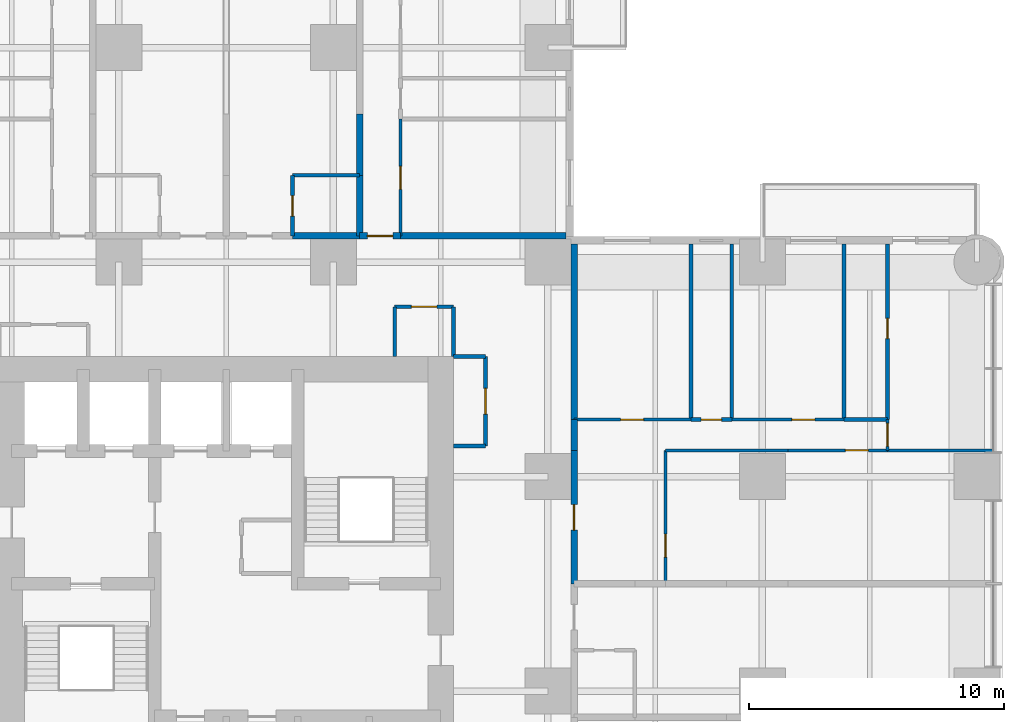
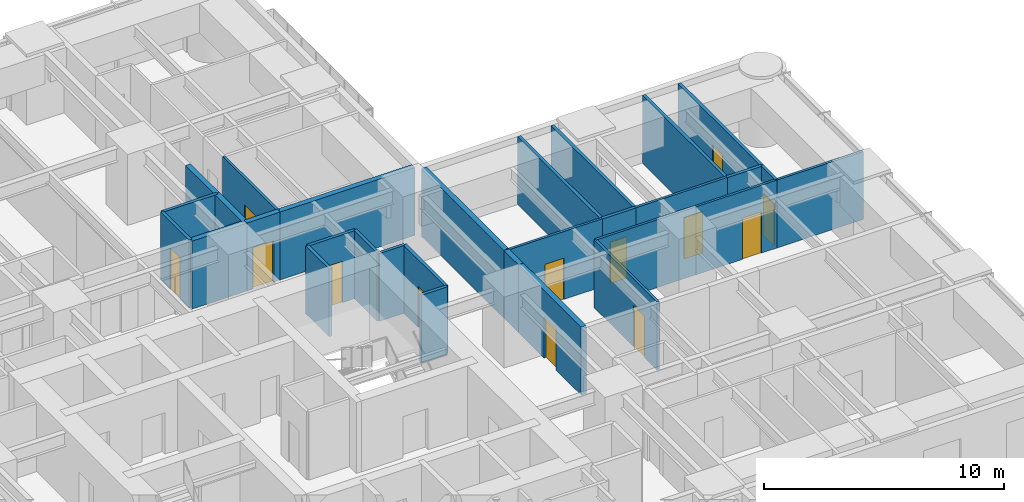
# One storey, part 14 of 17: 30 walls, 13 doors, 13 openings.
"""IFC4 building model written with IfcOpenShell, lengths in metres."""

from ifc_helpers import new_model, si_unit, direction, frame, frame_2d, origin, place, context, subcontext, project, spatial, rectangle, extrude, material, layer, layer_set, type_object, element, fill, save


model = new_model("IFC4")

# Units and contexts
model_context = context("Model", 3, precision=1e-05, world=origin(), true_north=direction((0.0, 1.0)))
body_context = subcontext(model_context, "Body", "Model", "MODEL_VIEW")
ifc_project = project(units=[si_unit("LENGTHUNIT", "METRE"), si_unit("AREAUNIT", "SQUARE_METRE"), si_unit("VOLUMEUNIT", "CUBIC_METRE"), si_unit("PLANEANGLEUNIT", "RADIAN"), si_unit("MASSUNIT", "GRAM", prefix="KILO")], contexts=[model_context])

# Site, building, storey
site_placement = place(None, origin())
site = spatial("IfcSite", under=ifc_project, at=site_placement, CompositionType="ELEMENT")
building_placement = place(site_placement, origin())
building = spatial("IfcBuilding", under=site, at=building_placement, Name="Torre Alcanfor", CompositionType="ELEMENT")
storey_placement = place(building_placement, frame((0.0, 0.0, 92.10009765625)))
storey = spatial("IfcBuildingStorey", under=building, at=storey_placement, Name="L23", CompositionType="ELEMENT", Elevation=92.10009765625)

# Wall
ifc_material_1 = material(Name="Concrete block masonry, hollow blocks NMX-C-404 9 MPa", Category="masonry")
ifc_layer_1 = layer(ifc_material_1, 0.25)
ifc_layer_set_1 = layer_set([ifc_layer_1], Name="Apartment entrance wall 250 EI 60")
wall_type_1 = type_object("IfcWallType", Name="Apartment entrance wall 250 EI 60", PredefinedType="PARTITIONING", material=ifc_layer_set_1)
wall_1_placement = place(storey_placement, frame((32.0, 43.02490234375, 0.0), z_axis=(0.0, 0.0, 1.0), x_axis=(1.0, 0.0, 0.0)))
element("IfcWall", 1, at=wall_1_placement, inside=storey, type_object=wall_type_1, Name="Partition L23-CORR / L23-N2A-BATH", PredefinedType="PARTITIONING", context=body_context, shape_type="SweptSolid", body=[
    extrude(rectangle(XDim=2.62890625, YDim=0.25, at=frame_2d((1.314453125, 0.0))), origin(), (0.0, 0.0, 1.0), 3.449951171875),
])

# Wall, opening, door
wall_2_placement = place(storey_placement, frame((34.62890625, 43.02490234375, 0.0), z_axis=(0.0, 0.0, 1.0), x_axis=(1.0, 0.0, 0.0)))
wall_2 = element("IfcWall", 2, at=wall_2_placement, inside=storey, type_object=wall_type_1, Name="Partition L23-CORR / L23-N2B-HALL", PredefinedType="PARTITIONING", context=body_context, shape_type="SweptSolid", body=[
    extrude(rectangle(XDim=1.60009765625, YDim=0.25, at=frame_2d((0.800048828125, 0.0))), origin(), (0.0, 0.0, 1.0), 3.449951171875),
])
opening_1_placement = place(wall_2_placement, frame((0.300048828125, 0.0, 0.0)))
opening_1 = element("IfcOpeningElement", 3, at=opening_1_placement, cuts=wall_2, Name="Opening D-A1", PredefinedType="OPENING", context=body_context, shape_type="SweptSolid", body=[
    extrude(rectangle(XDim=1.0, YDim=2.10009765625, at=frame_2d((0.5, 1.050048828125))), frame((0.0, 0.135009765625, 0.0), z_axis=(0.0, -1.0, 0.0), x_axis=(1.0, 0.0, 0.0)), (0.0, 0.0, 1.0), 0.27001953125),
])
ifc_material_2 = material(Name="Galvanised steel sheet ASTM A653", Category="steel")
door_type_1 = type_object("IfcDoorType", Name="Apartment entrance door FD60 1000x2100", OperationType="SINGLE_SWING_LEFT", PredefinedType="DOOR", material=ifc_material_2)
door_1_placement = place(opening_1_placement, origin())
door_1 = element("IfcDoor", 4, at=door_1_placement, inside=storey, type_object=door_type_1, Name="Apartment entrance L23-N2B", OperationType="SINGLE_SWING_LEFT", OverallHeight=2.10009765625, OverallWidth=1.0, PredefinedType="DOOR", context=body_context, shape_type="SweptSolid", body=[
    extrude(rectangle(XDim=1.0, YDim=2.10009765625, at=frame_2d((0.5, 1.050048828125))), frame((0.0, 0.02490234375, 0.0), z_axis=(0.0, -1.0, 0.0), x_axis=(1.0, 0.0, 0.0)), (0.0, 0.0, 1.0), 0.050048828125),
])
fill(opening_1, door_1)

# Wall
wall_3_placement = place(storey_placement, frame((36.22900390625, 43.02490234375, 0.0), z_axis=(0.0, 0.0, 1.0), x_axis=(1.0, 0.0, 0.0)))
element("IfcWall", 5, at=wall_3_placement, inside=storey, type_object=wall_type_1, Name="Partition L23-CORR / L23-N2B-MASTER", PredefinedType="PARTITIONING", context=body_context, shape_type="SweptSolid", body=[
    extrude(rectangle(XDim=6.470947265625, YDim=0.25, at=frame_2d((3.2353515625, 0.0))), origin(), (0.0, 0.0, 1.0), 3.449951171875),
])

# Wall, opening, door
wall_4_placement = place(storey_placement, frame((43.02490234375, 34.62890625, 0.0), z_axis=(0.0, 0.0, 1.0), x_axis=(0.0, -1.0, 0.0)))
wall_4 = element("IfcWall", 6, at=wall_4_placement, inside=storey, type_object=wall_type_1, Name="Partition L23-CORR / L23-E1-ZAG", PredefinedType="PARTITIONING", context=body_context, shape_type="SweptSolid", body=[
    extrude(rectangle(XDim=5.22900390625, YDim=0.25, at=frame_2d((2.614501953125, 0.0))), origin(), (0.0, 0.0, 1.0), 3.449951171875),
])
opening_2_placement = place(wall_4_placement, frame((2.12890625, 0.0, 0.0)))
opening_2 = element("IfcOpeningElement", 7, at=opening_2_placement, cuts=wall_4, Name="Opening D-A1", PredefinedType="OPENING", context=body_context, shape_type="SweptSolid", body=[
    extrude(rectangle(XDim=1.0, YDim=2.10009765625, at=frame_2d((0.5, 1.050048828125))), frame((0.0, 0.135009765625, 0.0), z_axis=(0.0, -1.0, 0.0), x_axis=(1.0, 0.0, 0.0)), (0.0, 0.0, 1.0), 0.27001953125),
])
door_2_placement = place(opening_2_placement, origin())
door_2 = element("IfcDoor", 8, at=door_2_placement, inside=storey, type_object=door_type_1, Name="Apartment entrance L23-E1", OperationType="SINGLE_SWING_RIGHT", OverallHeight=2.10009765625, OverallWidth=1.0, PredefinedType="DOOR", context=body_context, shape_type="SweptSolid", body=[
    extrude(rectangle(XDim=1.0, YDim=2.10009765625, at=frame_2d((0.5, 1.050048828125))), frame((0.0, 0.02490234375, 0.0), z_axis=(0.0, -1.0, 0.0), x_axis=(1.0, 0.0, 0.0)), (0.0, 0.0, 1.0), 0.050048828125),
])
fill(opening_2, door_2)

# Walls
wall_5_placement = place(storey_placement, frame((43.02490234375, 35.8291015625, 0.0), z_axis=(0.0, 0.0, 1.0), x_axis=(0.0, -1.0, 0.0)))
element("IfcWall", 9, at=wall_5_placement, inside=storey, type_object=wall_type_1, Name="Partition L23-CORR / L23-E1-HALL", PredefinedType="PARTITIONING", context=body_context, shape_type="SweptSolid", body=[
    extrude(rectangle(XDim=1.2001953125, YDim=0.25, at=frame_2d((0.60009765625, 0.0))), origin(), (0.0, 0.0, 1.0), 3.449951171875),
])
wall_6_placement = place(storey_placement, frame((43.02490234375, 42.699951171875, 0.0), z_axis=(0.0, 0.0, 1.0), x_axis=(0.0, -1.0, 0.0)))
element("IfcWall", 10, at=wall_6_placement, inside=storey, type_object=wall_type_1, Name="Partition L23-CORR / L23-E1-BED3", PredefinedType="PARTITIONING", context=body_context, shape_type="SweptSolid", body=[
    extrude(rectangle(XDim=6.870849609375, YDim=0.25, at=frame_2d((3.435546875, 0.0))), origin(), (0.0, 0.0, 1.0), 3.449951171875),
])

# Wall, opening, door
ifc_material_3 = material(Name="Gypsum board on steel studs", Category="steel")
ifc_layer_2 = layer(ifc_material_3, 0.1201171875)
ifc_layer_set_2 = layer_set([ifc_layer_2], Name="Apartment partition 120")
wall_type_2 = type_object("IfcWallType", Name="Apartment partition 120", PredefinedType="PARTITIONING", material=ifc_layer_set_2)
wall_7_placement = place(storey_placement, frame((36.22900390625, 47.60009765625, 0.0), z_axis=(0.0, 0.0, 1.0), x_axis=(0.0, -1.0, 0.0)))
wall_7 = element("IfcWall", 11, at=wall_7_placement, inside=storey, type_object=wall_type_2, Name="Partition L23-N2B-HALL / L23-N2B-MASTER", PredefinedType="PARTITIONING", context=body_context, shape_type="SweptSolid", body=[
    extrude(rectangle(XDim=4.5751953125, YDim=0.1201171875, at=frame_2d((2.28759765625, 0.0))), origin(), (0.0, 0.0, 1.0), 3.449951171875),
])
opening_3_placement = place(wall_7_placement, frame((1.85009765625, 0.0, 0.0)))
opening_3 = element("IfcOpeningElement", 12, at=opening_3_placement, cuts=wall_7, Name="Opening D-R1", PredefinedType="OPENING", context=body_context, shape_type="SweptSolid", body=[
    extrude(rectangle(XDim=0.89990234375, YDim=2.10009765625, at=frame_2d((0.449951171875, 1.050048828125))), frame((0.0, 0.070068359375, 0.0), z_axis=(0.0, -1.0, 0.0), x_axis=(1.0, 0.0, 0.0)), (0.0, 0.0, 1.0), 0.14013671875),
])
ifc_material_4 = material(Name="Timber", Category="wood")
door_type_2 = type_object("IfcDoorType", Name="Internal door 900x2100", OperationType="SINGLE_SWING_LEFT", PredefinedType="DOOR", material=ifc_material_4)
door_3_placement = place(opening_3_placement, origin())
door_3 = element("IfcDoor", 13, at=door_3_placement, inside=storey, type_object=door_type_2, Name="Door L23-N2B master", OperationType="SINGLE_SWING_RIGHT", OverallHeight=2.10009765625, OverallWidth=0.89990234375, PredefinedType="DOOR", context=body_context, shape_type="SweptSolid", body=[
    extrude(rectangle(XDim=0.89990234375, YDim=2.10009765625, at=frame_2d((0.449951171875, 1.050048828125))), frame((0.0, 0.02490234375, 0.0), z_axis=(0.0, -1.0, 0.0), x_axis=(1.0, 0.0, 0.0)), (0.0, 0.0, 1.0), 0.050048828125),
])
fill(opening_3, door_3)

wall_8_placement = place(storey_placement, frame((46.60009765625, 29.39990234375, 0.0), z_axis=(0.0, 0.0, 1.0), x_axis=(0.0, 1.0, 0.0)))
wall_8 = element("IfcWall", 14, at=wall_8_placement, inside=storey, type_object=wall_type_2, Name="Partition L23-E1-ZAG / L23-E1-KITCHEN", PredefinedType="PARTITIONING", context=body_context, shape_type="SweptSolid", body=[
    extrude(rectangle(XDim=5.22900390625, YDim=0.1201171875, at=frame_2d((2.614501953125, 0.0))), origin(), (0.0, 0.0, 1.0), 3.449951171875),
])
opening_4_placement = place(wall_8_placement, frame((1.050048828125, 0.0, 0.0)))
opening_4 = element("IfcOpeningElement", 15, at=opening_4_placement, cuts=wall_8, Name="Opening D-R1", PredefinedType="OPENING", context=body_context, shape_type="SweptSolid", body=[
    extrude(rectangle(XDim=0.89990234375, YDim=2.10009765625, at=frame_2d((0.449951171875, 1.050048828125))), frame((0.0, 0.070068359375, 0.0), z_axis=(0.0, -1.0, 0.0), x_axis=(1.0, 0.0, 0.0)), (0.0, 0.0, 1.0), 0.14013671875),
])
door_4_placement = place(opening_4_placement, frame((0.89990234375, 0.0, 0.0), z_axis=(0.0, 0.0, 1.0), x_axis=(-1.0, 0.0, 0.0)))
door_4 = element("IfcDoor", 16, at=door_4_placement, inside=storey, type_object=door_type_2, Name="Door L23-E1 kitchen", OperationType="SINGLE_SWING_RIGHT", OverallHeight=2.10009765625, OverallWidth=0.89990234375, PredefinedType="DOOR", context=body_context, shape_type="SweptSolid", body=[
    extrude(rectangle(XDim=0.89990234375, YDim=2.10009765625, at=frame_2d((0.449951171875, 1.050048828125))), frame((0.0, 0.025146484375, 0.0), z_axis=(0.0, -1.0, 0.0), x_axis=(1.0, 0.0, 0.0)), (0.0, 0.0, 1.0), 0.050048828125),
])
fill(opening_4, door_4)

# Wall
wall_9_placement = place(storey_placement, frame((51.39990234375, 34.62890625, 0.0), z_axis=(0.0, 0.0, 1.0), x_axis=(-1.0, 0.0, 0.0)))
element("IfcWall", 17, at=wall_9_placement, inside=storey, type_object=wall_type_2, Name="Partition L23-E1-KITCHEN / L23-E1-HALL", PredefinedType="PARTITIONING", context=body_context, shape_type="SweptSolid", body=[
    extrude(rectangle(XDim=4.7998046875, YDim=0.1201171875, at=frame_2d((2.39990234375, 0.0))), origin(), (0.0, 0.0, 1.0), 3.449951171875),
])

# Wall, opening, door
wall_10_placement = place(storey_placement, frame((55.300048828125, 34.62890625, 0.0), z_axis=(0.0, 0.0, 1.0), x_axis=(-1.0, 0.0, 0.0)))
wall_10 = element("IfcWall", 18, at=wall_10_placement, inside=storey, type_object=wall_type_2, Name="Partition L23-E1-LIVING / L23-E1-HALL", PredefinedType="PARTITIONING", context=body_context, shape_type="SweptSolid", body=[
    extrude(rectangle(XDim=3.900146484375, YDim=0.1201171875, at=frame_2d((1.9501953125, 0.0))), origin(), (0.0, 0.0, 1.0), 3.449951171875),
])
opening_5_placement = place(wall_10_placement, frame((0.75, 0.0, 0.0)))
opening_5 = element("IfcOpeningElement", 19, at=opening_5_placement, cuts=wall_10, Name="Opening D-R1", PredefinedType="OPENING", context=body_context, shape_type="SweptSolid", body=[
    extrude(rectangle(XDim=0.89990234375, YDim=2.10009765625, at=frame_2d((0.449951171875, 1.050048828125))), frame((0.0, 0.070068359375, 0.0), z_axis=(0.0, -1.0, 0.0), x_axis=(1.0, 0.0, 0.0)), (0.0, 0.0, 1.0), 0.14013671875),
])
door_5_placement = place(opening_5_placement, origin())
door_5 = element("IfcDoor", 20, at=door_5_placement, inside=storey, type_object=door_type_2, Name="Door L23-E1 living", OperationType="SINGLE_SWING_RIGHT", OverallHeight=2.10009765625, OverallWidth=0.89990234375, PredefinedType="DOOR", context=body_context, shape_type="SweptSolid", body=[
    extrude(rectangle(XDim=0.89990234375, YDim=2.10009765625, at=frame_2d((0.449951171875, 1.050048828125))), frame((0.0, 0.02490234375, 0.0), z_axis=(0.0, -1.0, 0.0), x_axis=(1.0, 0.0, 0.0)), (0.0, 0.0, 1.0), 0.050048828125),
])
fill(opening_5, door_5)

# Wall
wall_11_placement = place(storey_placement, frame((59.449951171875, 34.62890625, 0.0), z_axis=(0.0, 0.0, 1.0), x_axis=(-1.0, 0.0, 0.0)))
element("IfcWall", 21, at=wall_11_placement, inside=storey, type_object=wall_type_2, Name="Partition L23-E1-LIVING / L23-E1-MASTER", PredefinedType="PARTITIONING", context=body_context, shape_type="SweptSolid", body=[
    extrude(rectangle(XDim=4.14990234375, YDim=0.1201171875, at=frame_2d((2.074951171875, 0.0))), origin(), (0.0, 0.0, 1.0), 3.449951171875),
])

# Wall, opening, door
wall_12_placement = place(storey_placement, frame((47.60009765625, 35.8291015625, 0.0), z_axis=(0.0, 0.0, 1.0), x_axis=(-1.0, 0.0, 0.0)))
wall_12 = element("IfcWall", 22, at=wall_12_placement, inside=storey, type_object=wall_type_2, Name="Partition L23-E1-HALL / L23-E1-BED3", PredefinedType="PARTITIONING", context=body_context, shape_type="SweptSolid", body=[
    extrude(rectangle(XDim=4.5751953125, YDim=0.1201171875, at=frame_2d((2.28759765625, 0.0))), origin(), (0.0, 0.0, 1.0), 3.449951171875),
])
opening_6_placement = place(wall_12_placement, frame((1.85009765625, 0.0, 0.0)))
opening_6 = element("IfcOpeningElement", 23, at=opening_6_placement, cuts=wall_12, Name="Opening D-R1", PredefinedType="OPENING", context=body_context, shape_type="SweptSolid", body=[
    extrude(rectangle(XDim=0.89990234375, YDim=2.10009765625, at=frame_2d((0.449951171875, 1.050048828125))), frame((0.0, 0.070068359375, 0.0), z_axis=(0.0, -1.0, 0.0), x_axis=(1.0, 0.0, 0.0)), (0.0, 0.0, 1.0), 0.14013671875),
])
door_6_placement = place(opening_6_placement, frame((0.89990234375, 0.0, 0.0), z_axis=(0.0, 0.0, 1.0), x_axis=(-1.0, 0.0, 0.0)))
door_6 = element("IfcDoor", 24, at=door_6_placement, inside=storey, type_object=door_type_2, Name="Door L23-E1 bed3", OperationType="SINGLE_SWING_LEFT", OverallHeight=2.10009765625, OverallWidth=0.89990234375, PredefinedType="DOOR", context=body_context, shape_type="SweptSolid", body=[
    extrude(rectangle(XDim=0.89990234375, YDim=2.10009765625, at=frame_2d((0.449951171875, 1.050048828125))), frame((0.0, 0.025146484375, 0.0), z_axis=(0.0, -1.0, 0.0), x_axis=(1.0, 0.0, 0.0)), (0.0, 0.0, 1.0), 0.050048828125),
])
fill(opening_6, door_6)

wall_13_placement = place(storey_placement, frame((53.60009765625, 35.8291015625, 0.0), z_axis=(0.0, 0.0, 1.0), x_axis=(-1.0, 0.0, 0.0)))
wall_13 = element("IfcWall", 25, at=wall_13_placement, inside=storey, type_object=wall_type_2, Name="Partition L23-E1-HALL / L23-E1-BED2", PredefinedType="PARTITIONING", context=body_context, shape_type="SweptSolid", body=[
    extrude(rectangle(XDim=4.400146484375, YDim=0.1201171875, at=frame_2d((2.2001953125, 0.0))), origin(), (0.0, 0.0, 1.0), 3.449951171875),
])
opening_7_placement = place(wall_13_placement, frame((1.14990234375, 0.0, 0.0)))
opening_7 = element("IfcOpeningElement", 26, at=opening_7_placement, cuts=wall_13, Name="Opening D-R1", PredefinedType="OPENING", context=body_context, shape_type="SweptSolid", body=[
    extrude(rectangle(XDim=0.89990234375, YDim=2.10009765625, at=frame_2d((0.449951171875, 1.050048828125))), frame((0.0, 0.070068359375, 0.0), z_axis=(0.0, -1.0, 0.0), x_axis=(1.0, 0.0, 0.0)), (0.0, 0.0, 1.0), 0.14013671875),
])
door_7_placement = place(opening_7_placement, frame((0.89990234375, 0.0, 0.0), z_axis=(0.0, 0.0, 1.0), x_axis=(-1.0, 0.0, 0.0)))
door_7 = element("IfcDoor", 27, at=door_7_placement, inside=storey, type_object=door_type_2, Name="Door L23-E1 bed2", OperationType="SINGLE_SWING_RIGHT", OverallHeight=2.10009765625, OverallWidth=0.89990234375, PredefinedType="DOOR", context=body_context, shape_type="SweptSolid", body=[
    extrude(rectangle(XDim=0.89990234375, YDim=2.10009765625, at=frame_2d((0.449951171875, 1.050048828125))), frame((0.0, 0.025146484375, 0.0), z_axis=(0.0, -1.0, 0.0), x_axis=(1.0, 0.0, 0.0)), (0.0, 0.0, 1.0), 0.050048828125),
])
fill(opening_7, door_7)

wall_14_placement = place(storey_placement, frame((55.300048828125, 34.62890625, 0.0), z_axis=(0.0, 0.0, 1.0), x_axis=(0.0, 1.0, 0.0)))
wall_14 = element("IfcWall", 28, at=wall_14_placement, inside=storey, type_object=wall_type_2, Name="Partition L23-E1-HALL / L23-E1-MASTER", PredefinedType="PARTITIONING", context=body_context, shape_type="SweptSolid", body=[
    extrude(rectangle(XDim=1.2001953125, YDim=0.1201171875, at=frame_2d((0.60009765625, 0.0))), origin(), (0.0, 0.0, 1.0), 3.449951171875),
])
opening_8_placement = place(wall_14_placement, frame((0.15087890625, 0.0, 0.0)))
opening_8 = element("IfcOpeningElement", 29, at=opening_8_placement, cuts=wall_14, Name="Opening D-R1", PredefinedType="OPENING", context=body_context, shape_type="SweptSolid", body=[
    extrude(rectangle(XDim=0.89990234375, YDim=2.10009765625, at=frame_2d((0.449951171875, 1.050048828125))), frame((0.0, 0.070068359375, 0.0), z_axis=(0.0, -1.0, 0.0), x_axis=(1.0, 0.0, 0.0)), (0.0, 0.0, 1.0), 0.14013671875),
])
door_8_placement = place(opening_8_placement, frame((0.89990234375, 0.0, 0.0), z_axis=(0.0, 0.0, 1.0), x_axis=(-1.0, 0.0, 0.0)))
door_8 = element("IfcDoor", 30, at=door_8_placement, inside=storey, type_object=door_type_2, Name="Door L23-E1 master", OperationType="SINGLE_SWING_RIGHT", OverallHeight=2.10009765625, OverallWidth=0.89990234375, PredefinedType="DOOR", context=body_context, shape_type="SweptSolid", body=[
    extrude(rectangle(XDim=0.89990234375, YDim=2.10009765625, at=frame_2d((0.449951171875, 1.050048828125))), frame((0.0, 0.025146484375, 0.0), z_axis=(0.0, -1.0, 0.0), x_axis=(1.0, 0.0, 0.0)), (0.0, 0.0, 1.0), 0.050048828125),
])
fill(opening_8, door_8)

# Walls
ifc_material_5 = material(Name="Concrete block masonry, hollow blocks NMX-C-404 9 MPa", Category="masonry")
ifc_layer_3 = layer(ifc_material_5, 0.25)
ifc_layer_set_3 = layer_set([ifc_layer_3], Name="Party wall 250 EI 60")
wall_type_3 = type_object("IfcWallType", Name="Party wall 250 EI 60", PredefinedType="PARTITIONING", material=ifc_layer_set_3)
wall_15_placement = place(storey_placement, frame((34.62890625, 45.39990234375, 0.0), z_axis=(0.0, 0.0, 1.0), x_axis=(0.0, -1.0, 0.0)))
element("IfcWall", 31, at=wall_15_placement, inside=storey, type_object=wall_type_3, Name="Partition L23-N2A-BATH / L23-N2B-HALL", PredefinedType="PARTITIONING", context=body_context, shape_type="SweptSolid", body=[
    extrude(rectangle(XDim=2.375, YDim=0.25, at=frame_2d((1.1875, 0.0))), origin(), (0.0, 0.0, 1.0), 3.449951171875),
])
wall_16_placement = place(storey_placement, frame((34.62890625, 47.800048828125, 0.0), z_axis=(0.0, 0.0, 1.0), x_axis=(0.0, -1.0, 0.0)))
element("IfcWall", 32, at=wall_16_placement, inside=storey, type_object=wall_type_3, Name="Partition L23-N2A-KITCHEN / L23-N2B-HALL", PredefinedType="PARTITIONING", context=body_context, shape_type="SweptSolid", body=[
    extrude(rectangle(XDim=2.400146484375, YDim=0.25, at=frame_2d((1.2001953125, 0.0))), origin(), (0.0, 0.0, 1.0), 3.449951171875),
])
ifc_material_6 = material(Name="Concrete block masonry, hollow blocks NMX-C-404 9 MPa", Category="masonry")
ifc_layer_4 = layer(ifc_material_6, 0.14990234375)
ifc_layer_set_4 = layer_set([ifc_layer_4], Name="Residents' room partition 150")
wall_type_4 = type_object("IfcWallType", Name="Residents' room partition 150", PredefinedType="PARTITIONING", material=ifc_layer_set_4)
wall_17_placement = place(storey_placement, frame((38.300048828125, 38.300048828125, 0.0), z_axis=(0.0, 0.0, 1.0), x_axis=(0.0, 1.0, 0.0)))
element("IfcWall", 33, at=wall_17_placement, inside=storey, type_object=wall_type_4, Name="Partition L23-CORR / L23-G02", PredefinedType="PARTITIONING", context=body_context, shape_type="SweptSolid", body=[
    extrude(rectangle(XDim=1.949951171875, YDim=0.14990234375, at=frame_2d((0.97509765625, 0.0))), origin(), (0.0, 0.0, 1.0), 3.449951171875),
])

# Wall, opening, door
wall_18_placement = place(storey_placement, frame((38.300048828125, 40.25, 0.0), z_axis=(0.0, 0.0, 1.0), x_axis=(-1.0, 0.0, 0.0)))
wall_18 = element("IfcWall", 34, at=wall_18_placement, inside=storey, type_object=wall_type_4, Name="Partition L23-CORR / L23-G02", PredefinedType="PARTITIONING", context=body_context, shape_type="SweptSolid", body=[
    extrude(rectangle(XDim=2.300048828125, YDim=0.14990234375, at=frame_2d((1.14990234375, 0.0))), origin(), (0.0, 0.0, 1.0), 3.449951171875),
])
opening_9_placement = place(wall_18_placement, frame((0.64990234375, 0.0, 0.0)))
opening_9 = element("IfcOpeningElement", 35, at=opening_9_placement, cuts=wall_18, Name="Opening D-M1", PredefinedType="OPENING", context=body_context, shape_type="SweptSolid", body=[
    extrude(rectangle(XDim=1.0, YDim=2.10009765625, at=frame_2d((0.5, 1.050048828125))), frame((0.0, 0.0849609375, 0.0), z_axis=(0.0, -1.0, 0.0), x_axis=(1.0, 0.0, 0.0)), (0.0, 0.0, 1.0), 0.169921875),
])
ifc_material_7 = material(Name="Timber", Category="wood")
door_type_3 = type_object("IfcDoorType", Name="Residents' room door 1000x2100", OperationType="SINGLE_SWING_LEFT", PredefinedType="DOOR", material=ifc_material_7)
door_9_placement = place(opening_9_placement, origin())
door_9 = element("IfcDoor", 36, at=door_9_placement, inside=storey, type_object=door_type_3, Name="Door L23-G02 residents' storage lockers", OperationType="SINGLE_SWING_LEFT", OverallHeight=2.10009765625, OverallWidth=1.0, PredefinedType="DOOR", context=body_context, shape_type="SweptSolid", body=[
    extrude(rectangle(XDim=1.0, YDim=2.10009765625, at=frame_2d((0.5, 1.050048828125))), frame((0.0, 0.02490234375, 0.0), z_axis=(0.0, -1.0, 0.0), x_axis=(1.0, 0.0, 0.0)), (0.0, 0.0, 1.0), 0.050048828125),
])
fill(opening_9, door_9)

# Walls
wall_19_placement = place(storey_placement, frame((36.0, 40.25, 0.0), z_axis=(0.0, 0.0, 1.0), x_axis=(0.0, -1.0, 0.0)))
element("IfcWall", 37, at=wall_19_placement, inside=storey, type_object=wall_type_4, Name="Partition L23-CORR / L23-G02", PredefinedType="PARTITIONING", context=body_context, shape_type="SweptSolid", body=[
    extrude(rectangle(XDim=1.949951171875, YDim=0.14990234375, at=frame_2d((0.97509765625, 0.0))), origin(), (0.0, 0.0, 1.0), 3.449951171875),
])
wall_20_placement = place(storey_placement, frame((38.300048828125, 34.800048828125, 0.0), z_axis=(0.0, 0.0, 1.0), x_axis=(1.0, 0.0, 0.0)))
element("IfcWall", 38, at=wall_20_placement, inside=storey, type_object=wall_type_4, Name="Partition L23-CORR / L23-G04", PredefinedType="PARTITIONING", context=body_context, shape_type="SweptSolid", body=[
    extrude(rectangle(XDim=1.25, YDim=0.14990234375, at=frame_2d((0.625, 0.0))), origin(), (0.0, 0.0, 1.0), 3.449951171875),
])

# Wall, opening, door
wall_21_placement = place(storey_placement, frame((39.550048828125, 34.800048828125, 0.0), z_axis=(0.0, 0.0, 1.0), x_axis=(0.0, 1.0, 0.0)))
wall_21 = element("IfcWall", 39, at=wall_21_placement, inside=storey, type_object=wall_type_4, Name="Partition L23-CORR / L23-G04", PredefinedType="PARTITIONING", context=body_context, shape_type="SweptSolid", body=[
    extrude(rectangle(XDim=3.5, YDim=0.14990234375, at=frame_2d((1.75, 0.0))), origin(), (0.0, 0.0, 1.0), 3.449951171875),
])
opening_10_placement = place(wall_21_placement, frame((1.25, 0.0, 0.0)))
opening_10 = element("IfcOpeningElement", 40, at=opening_10_placement, cuts=wall_21, Name="Opening D-M1", PredefinedType="OPENING", context=body_context, shape_type="SweptSolid", body=[
    extrude(rectangle(XDim=1.0, YDim=2.10009765625, at=frame_2d((0.5, 1.050048828125))), frame((0.0, 0.0849609375, 0.0), z_axis=(0.0, -1.0, 0.0), x_axis=(1.0, 0.0, 0.0)), (0.0, 0.0, 1.0), 0.169921875),
])
door_10_placement = place(opening_10_placement, origin())
door_10 = element("IfcDoor", 41, at=door_10_placement, inside=storey, type_object=door_type_3, Name="Door L23-G04 cleaners' store", OperationType="SINGLE_SWING_LEFT", OverallHeight=2.10009765625, OverallWidth=1.0, PredefinedType="DOOR", context=body_context, shape_type="SweptSolid", body=[
    extrude(rectangle(XDim=1.0, YDim=2.10009765625, at=frame_2d((0.5, 1.050048828125))), frame((0.0, 0.02490234375, 0.0), z_axis=(0.0, -1.0, 0.0), x_axis=(1.0, 0.0, 0.0)), (0.0, 0.0, 1.0), 0.050048828125),
])
fill(opening_10, door_10)

# Wall
wall_22_placement = place(storey_placement, frame((39.550048828125, 38.300048828125, 0.0), z_axis=(0.0, 0.0, 1.0), x_axis=(-1.0, 0.0, 0.0)))
element("IfcWall", 42, at=wall_22_placement, inside=storey, type_object=wall_type_4, Name="Partition L23-CORR / L23-G04", PredefinedType="PARTITIONING", context=body_context, shape_type="SweptSolid", body=[
    extrude(rectangle(XDim=1.25, YDim=0.14990234375, at=frame_2d((0.625, 0.0))), origin(), (0.0, 0.0, 1.0), 3.449951171875),
])

# Wall, opening, door
ifc_material_8 = material(Name="Cement board on steel studs", Category="steel")
ifc_layer_5 = layer(ifc_material_8, 0.14990234375)
ifc_layer_set_5 = layer_set([ifc_layer_5], Name="Wet area partition 150")
wall_type_5 = type_object("IfcWallType", Name="Wet area partition 150", PredefinedType="PARTITIONING", material=ifc_layer_set_5)
wall_23_placement = place(storey_placement, frame((32.0, 45.39990234375, 0.0), z_axis=(0.0, 0.0, 1.0), x_axis=(0.0, -1.0, 0.0)))
wall_23 = element("IfcWall", 43, at=wall_23_placement, inside=storey, type_object=wall_type_5, Name="Partition L23-N2A-FOYER / L23-N2A-BATH", PredefinedType="PARTITIONING", context=body_context, shape_type="SweptSolid", body=[
    extrude(rectangle(XDim=2.375, YDim=0.14990234375, at=frame_2d((1.1875, 0.0))), origin(), (0.0, 0.0, 1.0), 3.449951171875),
])
opening_11_placement = place(wall_23_placement, frame((0.800048828125, 0.0, 0.0)))
opening_11 = element("IfcOpeningElement", 44, at=opening_11_placement, cuts=wall_23, Name="Opening D-R2", PredefinedType="OPENING", context=body_context, shape_type="SweptSolid", body=[
    extrude(rectangle(XDim=0.800048828125, YDim=2.10009765625, at=frame_2d((0.39990234375, 1.050048828125))), frame((0.0, 0.0849609375, 0.0), z_axis=(0.0, -1.0, 0.0), x_axis=(1.0, 0.0, 0.0)), (0.0, 0.0, 1.0), 0.169921875),
])
ifc_material_9 = material(Name="Timber", Category="wood")
door_type_4 = type_object("IfcDoorType", Name="Bathroom door 800x2100", OperationType="SINGLE_SWING_LEFT", PredefinedType="DOOR", material=ifc_material_9)
door_11_placement = place(opening_11_placement, origin())
door_11 = element("IfcDoor", 45, at=door_11_placement, inside=storey, type_object=door_type_4, Name="Door L23-N2A bath", OperationType="SINGLE_SWING_RIGHT", OverallHeight=2.10009765625, OverallWidth=0.800048828125, PredefinedType="DOOR", context=body_context, shape_type="SweptSolid", body=[
    extrude(rectangle(XDim=0.800048828125, YDim=2.10009765625, at=frame_2d((0.39990234375, 1.050048828125))), frame((0.0, 0.02490234375, 0.0), z_axis=(0.0, -1.0, 0.0), x_axis=(1.0, 0.0, 0.0)), (0.0, 0.0, 1.0), 0.050048828125),
])
fill(opening_11, door_11)

# Wall
wall_24_placement = place(storey_placement, frame((32.0, 45.39990234375, 0.0), z_axis=(0.0, 0.0, 1.0), x_axis=(1.0, 0.0, 0.0)))
element("IfcWall", 46, at=wall_24_placement, inside=storey, type_object=wall_type_5, Name="Partition L23-N2A-BATH / L23-N2A-KITCHEN", PredefinedType="PARTITIONING", context=body_context, shape_type="SweptSolid", body=[
    extrude(rectangle(XDim=2.62890625, YDim=0.14990234375, at=frame_2d((1.314453125, 0.0))), origin(), (0.0, 0.0, 1.0), 3.449951171875),
])

# Wall, opening, door
wall_25_placement = place(storey_placement, frame((49.199951171875, 35.8291015625, 0.0), z_axis=(0.0, 0.0, 1.0), x_axis=(-1.0, 0.0, 0.0)))
wall_25 = element("IfcWall", 47, at=wall_25_placement, inside=storey, type_object=wall_type_5, Name="Partition L23-E1-HALL / L23-E1-BATH1", PredefinedType="PARTITIONING", context=body_context, shape_type="SweptSolid", body=[
    extrude(rectangle(XDim=1.599853515625, YDim=0.14990234375, at=frame_2d((0.7998046875, 0.0))), origin(), (0.0, 0.0, 1.0), 3.449951171875),
])
opening_12_placement = place(wall_25_placement, frame((0.39990234375, 0.0, 0.0)))
opening_12 = element("IfcOpeningElement", 48, at=opening_12_placement, cuts=wall_25, Name="Opening D-R2", PredefinedType="OPENING", context=body_context, shape_type="SweptSolid", body=[
    extrude(rectangle(XDim=0.800048828125, YDim=2.10009765625, at=frame_2d((0.39990234375, 1.050048828125))), frame((0.0, 0.0849609375, 0.0), z_axis=(0.0, -1.0, 0.0), x_axis=(1.0, 0.0, 0.0)), (0.0, 0.0, 1.0), 0.169921875),
])
door_12_placement = place(opening_12_placement, frame((0.800048828125, 0.0, 0.0), z_axis=(0.0, 0.0, 1.0), x_axis=(-1.0, 0.0, 0.0)))
door_12 = element("IfcDoor", 49, at=door_12_placement, inside=storey, type_object=door_type_4, Name="Door L23-E1 bath1", OperationType="SINGLE_SWING_RIGHT", OverallHeight=2.10009765625, OverallWidth=0.800048828125, PredefinedType="DOOR", context=body_context, shape_type="SweptSolid", body=[
    extrude(rectangle(XDim=0.800048828125, YDim=2.10009765625, at=frame_2d((0.400146484375, 1.050048828125))), frame((0.0, 0.025146484375, 0.0), z_axis=(0.0, -1.0, 0.0), x_axis=(1.0, 0.0, 0.0)), (0.0, 0.0, 1.0), 0.050048828125),
])
fill(opening_12, door_12)

# Walls
wall_26_placement = place(storey_placement, frame((55.300048828125, 35.8291015625, 0.0), z_axis=(0.0, 0.0, 1.0), x_axis=(-1.0, 0.0, 0.0)))
element("IfcWall", 50, at=wall_26_placement, inside=storey, type_object=wall_type_5, Name="Partition L23-E1-HALL / L23-E1-ENSBATH", PredefinedType="PARTITIONING", context=body_context, shape_type="SweptSolid", body=[
    extrude(rectangle(XDim=1.699951171875, YDim=0.14990234375, at=frame_2d((0.85009765625, 0.0))), origin(), (0.0, 0.0, 1.0), 3.449951171875),
])
for number, where, z_axis, x_axis, name in (
    (51, (47.60009765625, 35.8291015625, 0.0), (0.0, 0.0, 1.0), (0.0, 1.0, 0.0), "Partition L23-E1-BED3 / L23-E1-BATH1"),
    (52, (49.199951171875, 35.8291015625, 0.0), (0.0, 0.0, 1.0), (0.0, 1.0, 0.0), "Partition L23-E1-BATH1 / L23-E1-BED2"),
    (53, (53.60009765625, 35.8291015625, 0.0), (0.0, 0.0, 1.0), (0.0, 1.0, 0.0), "Partition L23-E1-BED2 / L23-E1-ENSBATH"),
):
    element("IfcWall", number, at=place(storey_placement, frame(where, z_axis=z_axis, x_axis=x_axis)), inside=storey, type_object=wall_type_5, Name=name, PredefinedType="PARTITIONING", context=body_context, shape_type="SweptSolid", body=[
        extrude(rectangle(XDim=6.870849609375, YDim=0.14990234375, at=frame_2d((3.435546875, 0.0))), origin(), (0.0, 0.0, 1.0), 3.449951171875),
    ])

# Wall, opening, door
wall_27_placement = place(storey_placement, frame((55.300048828125, 35.8291015625, 0.0), z_axis=(0.0, 0.0, 1.0), x_axis=(0.0, 1.0, 0.0)))
wall_27 = element("IfcWall", 54, at=wall_27_placement, inside=storey, type_object=wall_type_5, Name="Partition L23-E1-ENSBATH / L23-E1-MASTER", PredefinedType="PARTITIONING", context=body_context, shape_type="SweptSolid", body=[
    extrude(rectangle(XDim=6.870849609375, YDim=0.14990234375, at=frame_2d((3.435546875, 0.0))), origin(), (0.0, 0.0, 1.0), 3.449951171875),
])
opening_13_placement = place(wall_27_placement, frame((3.1708984375, 0.0, 0.0)))
opening_13 = element("IfcOpeningElement", 55, at=opening_13_placement, cuts=wall_27, Name="Opening D-R2", PredefinedType="OPENING", context=body_context, shape_type="SweptSolid", body=[
    extrude(rectangle(XDim=0.800048828125, YDim=2.10009765625, at=frame_2d((0.39990234375, 1.050048828125))), frame((0.0, 0.0849609375, 0.0), z_axis=(0.0, -1.0, 0.0), x_axis=(1.0, 0.0, 0.0)), (0.0, 0.0, 1.0), 0.169921875),
])
door_13_placement = place(opening_13_placement, origin())
door_13 = element("IfcDoor", 56, at=door_13_placement, inside=storey, type_object=door_type_4, Name="Door L23-E1 ensbath", OperationType="SINGLE_SWING_RIGHT", OverallHeight=2.10009765625, OverallWidth=0.800048828125, PredefinedType="DOOR", context=body_context, shape_type="SweptSolid", body=[
    extrude(rectangle(XDim=0.800048828125, YDim=2.10009765625, at=frame_2d((0.39990234375, 1.050048828125))), frame((0.0, 0.02490234375, 0.0), z_axis=(0.0, -1.0, 0.0), x_axis=(1.0, 0.0, 0.0)), (0.0, 0.0, 1.0), 0.050048828125),
])
fill(opening_13, door_13)

save(model, "model.ifc")
